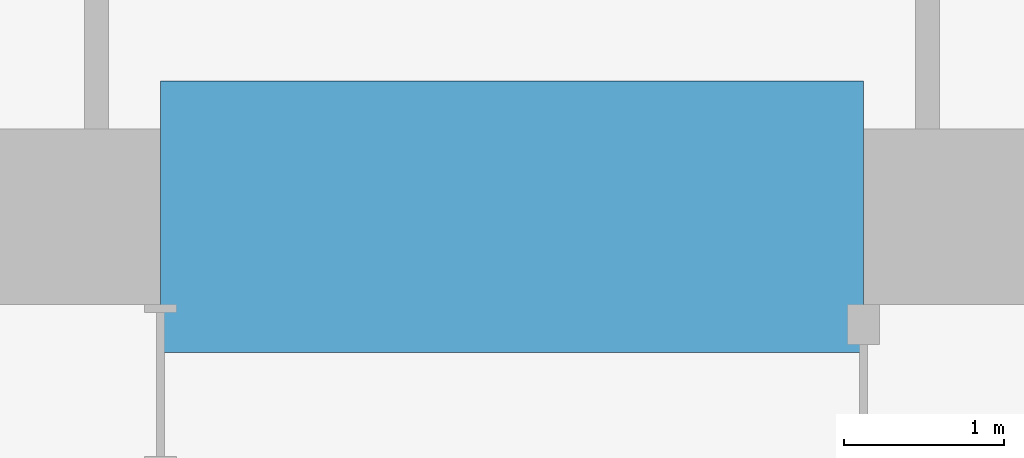
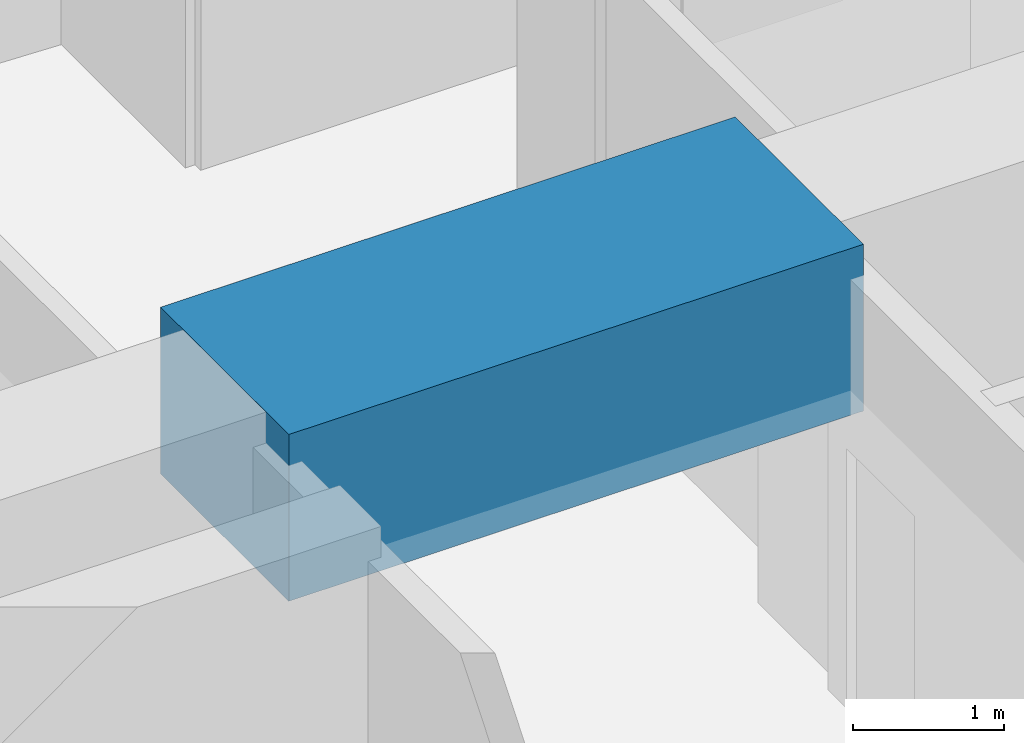
# One storey, part 19 of 42: 1 beam.
"""IFC4 building model written with IfcOpenShell, lengths in metres."""

from ifc_helpers import new_model, si_unit, direction, frame, origin, origin_2d, place, context, subcontext, project, spatial, rectangle, extrude, material, material_profile, profile_set, type_object, element, save


model = new_model("IFC4")

# Units and contexts
model_context = context("Model", 3, precision=1e-05, world=origin(), true_north=direction((0.0, 1.0)))
body_context = subcontext(model_context, "Body", "Model", "MODEL_VIEW")
ifc_project = project(units=[si_unit("LENGTHUNIT", "METRE"), si_unit("AREAUNIT", "SQUARE_METRE"), si_unit("VOLUMEUNIT", "CUBIC_METRE"), si_unit("PLANEANGLEUNIT", "RADIAN"), si_unit("MASSUNIT", "GRAM", prefix="KILO")], contexts=[model_context])

# Site, building, storey
site_placement = place(None, origin())
site = spatial("IfcSite", under=ifc_project, at=site_placement, CompositionType="ELEMENT")
building_placement = place(site_placement, origin())
building = spatial("IfcBuilding", under=site, at=building_placement, Name="Rekha Terrace Tower", CompositionType="ELEMENT")
storey_placement = place(building_placement, frame((0.0, 0.0, 70.39990234375)))
storey = spatial("IfcBuildingStorey", under=building, at=storey_placement, Name="L17", CompositionType="ELEMENT", Elevation=70.39990234375)

# Beam
ifc_material = material(Name="Concrete M70", Category="concrete")
ifc_material_profile = material_profile(ifc_material, rectangle(XDim=1.699951171875, YDim=1.35009765625, at=origin_2d()), Name="RC 1700x1350")
ifc_profile_set = profile_set([ifc_material_profile], Name="Concrete M70")
beam_type = type_object("IfcBeamType", Name="LB1A 1700x1350 diagonally reinforced coupling beam", PredefinedType="LINTEL", material=ifc_profile_set)
beam_placement = place(storey_placement, frame((35.60009765625, 46.199951171875, 3.0751953125), z_axis=(1.0, 0.0, 0.0), x_axis=(0.0, 1.0, 0.0)))
element("IfcBeam", 1, at=beam_placement, inside=storey, type_object=beam_type, Name="Coupling beam LB1A N L17", PredefinedType="LINTEL", context=body_context, shape_type="SweptSolid", body=[
    extrude(rectangle(XDim=1.699951171875, YDim=1.35009765625, at=origin_2d()), origin(), (0.0, 0.0, 1.0), 4.39990234375),
])

save(model, "model.ifc")
